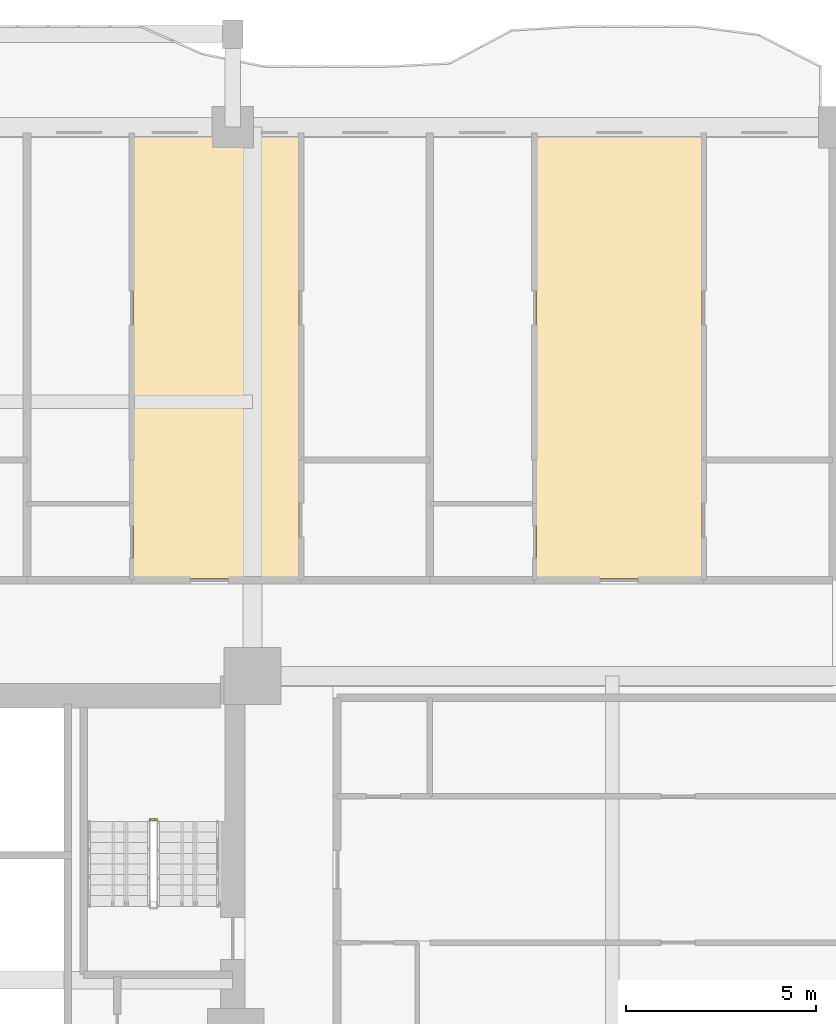
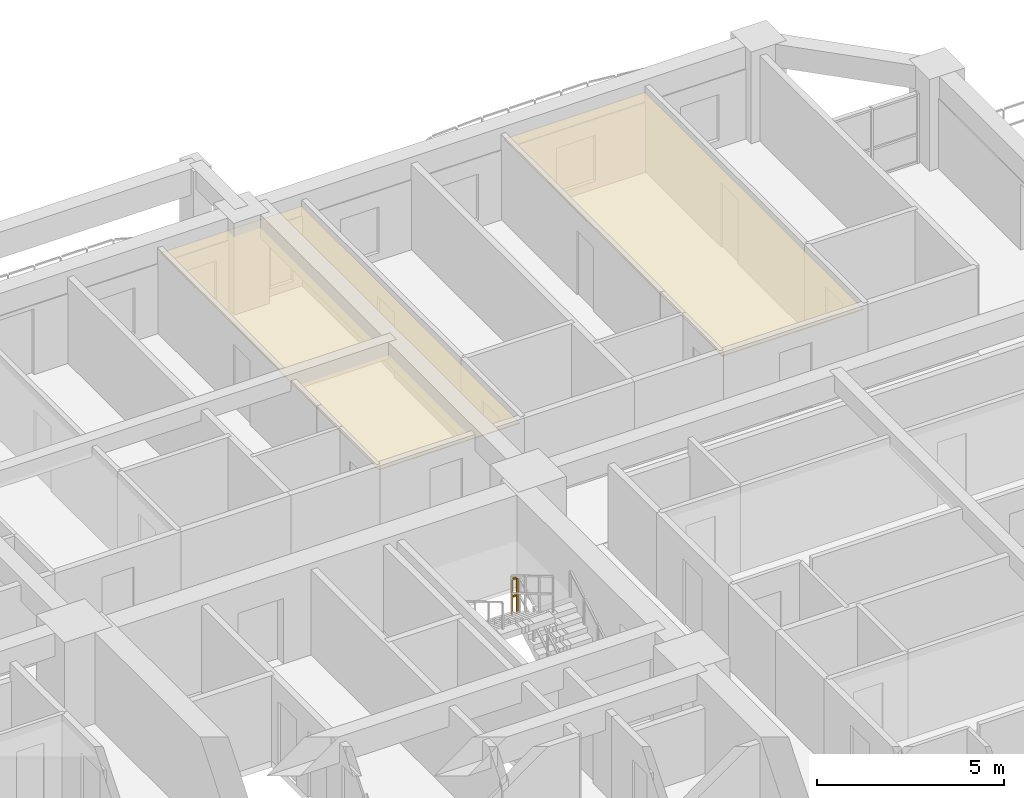
# One storey, part 27 of 27: 2 coverings, 1 railing.
"""IFC4 building model written with IfcOpenShell, lengths in metres."""

from ifc_helpers import new_model, si_unit, direction, frame, origin, origin_2d, place, context, subcontext, project, spatial, polyline, rectangle, outline, extrude, material, layer, layer_set, type_object, element, save


model = new_model("IFC4")

# Units and contexts
model_context = context("Model", 3, precision=1e-05, world=origin(), true_north=direction((0.0, 1.0)))
body_context = subcontext(model_context, "Body", "Model", "MODEL_VIEW")
ifc_project = project(units=[si_unit("LENGTHUNIT", "METRE"), si_unit("AREAUNIT", "SQUARE_METRE"), si_unit("VOLUMEUNIT", "CUBIC_METRE"), si_unit("PLANEANGLEUNIT", "RADIAN"), si_unit("MASSUNIT", "GRAM", prefix="KILO")], contexts=[model_context])

# Site, building, storey
site_placement = place(None, origin())
site = spatial("IfcSite", under=ifc_project, at=site_placement, CompositionType="ELEMENT")
building_placement = place(site_placement, origin())
building = spatial("IfcBuilding", under=site, at=building_placement, Name="Saelheon Loggia Tower", CompositionType="ELEMENT")
storey_placement = place(building_placement, frame((0.0, 0.0, 34.39990234375)))
storey = spatial("IfcBuildingStorey", under=building, at=storey_placement, Name="L10", CompositionType="ELEMENT", Elevation=34.39990234375)

# Coverings
ifc_material_1 = material(Name="Mineral-Fibre Acoustic Ceiling Board", Category="gypsum")
ifc_layer = layer(ifc_material_1, 0.02490234375)
ifc_layer_set = layer_set([ifc_layer], Name="Mineral-Fibre Acoustic Ceiling Board")
covering_type = type_object("IfcCoveringType", Name="Cov_Ceiling_Acoustic", PredefinedType="CEILING", material=ifc_layer_set)
covering_1_placement = place(storey_placement, frame((0.0, 0.0, 2.53515625)))
element("IfcCovering", 1, at=covering_1_placement, inside=storey, type_object=covering_type, Name="L10 Acoustic Suspended Ceiling", PredefinedType="CEILING", context=body_context, shape_type="SweptSolid", body=[
    extrude(outline(polyline([(41.88671875, 39.10009765625), (46.248291015625, 39.10009765625), (46.248291015625, 50.800048828125), (41.88671875, 50.800048828125), (41.88671875, 39.10009765625)])), origin(), (0.0, 0.0, 1.0), 0.02490234375),
])
covering_2_placement = place(storey_placement, frame((0.0, 0.0, 2.53515625)))
element("IfcCovering", 2, at=covering_2_placement, inside=storey, type_object=covering_type, Name="L10 Acoustic Suspended Ceiling", PredefinedType="CEILING", context=body_context, shape_type="SweptSolid", body=[
    extrude(outline(polyline([(52.509521484375, 39.10009765625), (56.870849609375, 39.10009765625), (56.870849609375, 50.800048828125), (52.509521484375, 50.800048828125), (52.509521484375, 39.10009765625)])), origin(), (0.0, 0.0, 1.0), 0.02490234375),
])

# Railing
ifc_material_2 = material(Name="Galvanised Steel S275 Stairwell Guardrail", Category="steel")
railing_type = type_object("IfcRailingType", Name="Guard_StairWell_RL_STG", PredefinedType="GUARDRAIL", material=ifc_material_2)
railing_placement = place(storey_placement, frame((42.489990234375, 32.739990234375, 1.5)))
element("IfcRailing", 3, at=railing_placement, inside=storey, type_object=railing_type, Name="L10 ST2 stair guard 2", PredefinedType="GUARDRAIL", context=body_context, shape_type="SweptSolid", body=[
    extrude(rectangle(XDim=0.048095703125, YDim=0.048095703125, at=origin_2d()), frame((-0.033203125, 0.0, 1.17578125), z_axis=(-1.0, 0.0, 0.0), x_axis=(0.0, -1.0, 0.0)), (0.0, 0.0, 1.0), 0.093505859375),
    extrude(rectangle(XDim=0.048095703125, YDim=0.048095703125, at=origin_2d()), frame((-0.033203125, 0.0, 0.60009765625), z_axis=(-1.0, 0.0, 0.0), x_axis=(0.0, -1.0, 0.0)), (0.0, 0.0, 1.0), 0.093505859375),
    extrude(rectangle(XDim=0.0419921875, YDim=0.0419921875, at=origin_2d()), origin(), (0.0, 0.0, 1.0), 1.14794921875),
    extrude(rectangle(XDim=0.0419921875, YDim=0.0419921875, at=origin_2d()), frame((-0.159912109375, 0.0, 0.0)), (0.0, 0.0, 1.0), 1.14794921875),
])

save(model, "model.ifc")
